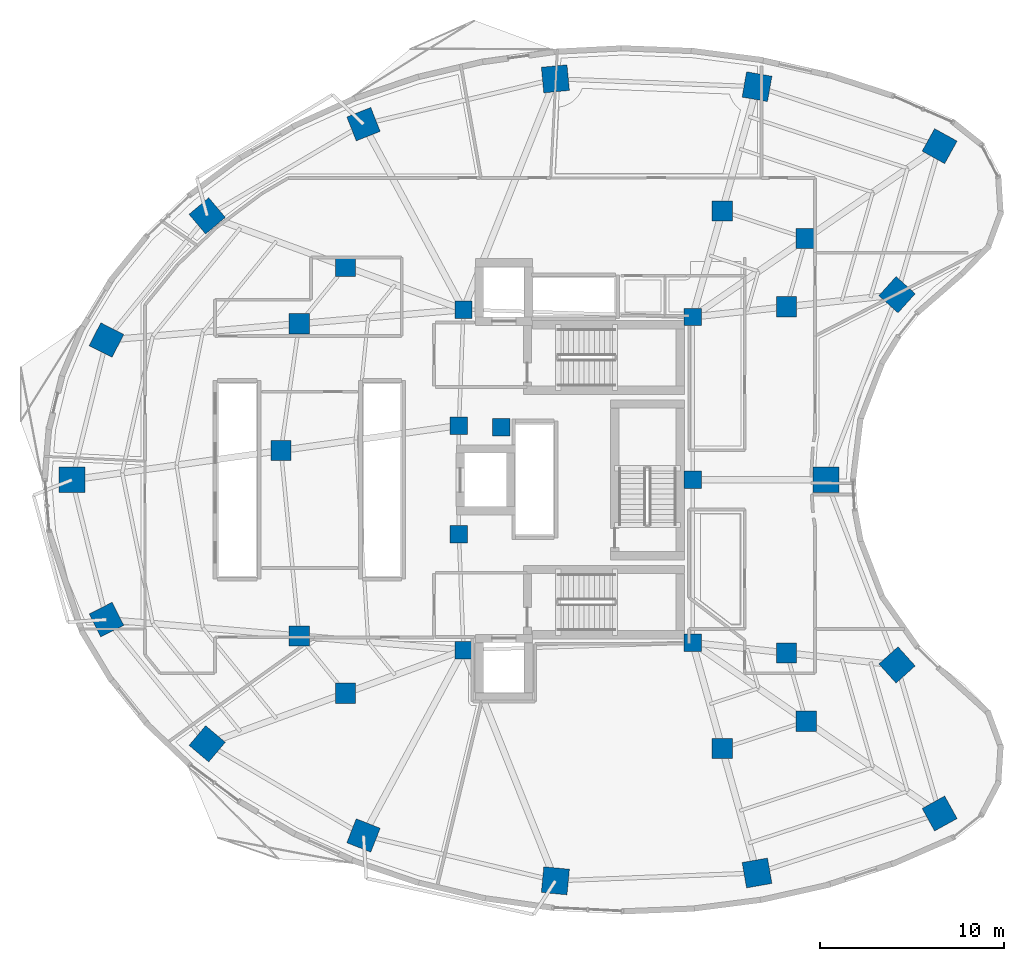
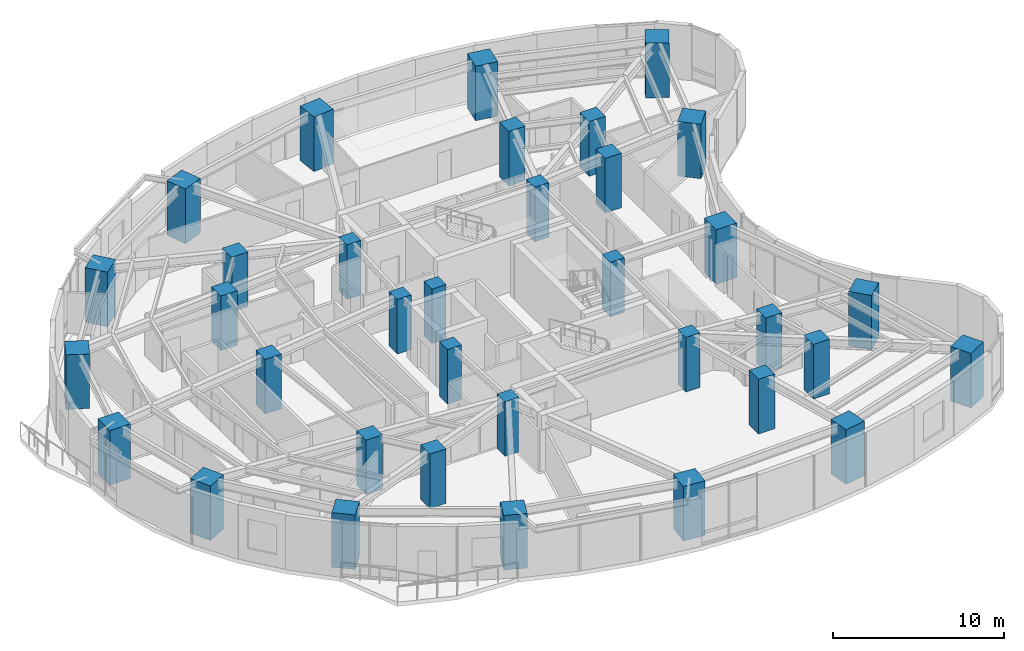
# One storey, part 1 of 15: 35 columns.
"""IFC4 building model written with IfcOpenShell, lengths in metres."""

from ifc_helpers import new_model, si_unit, direction, frame, origin, origin_2d, place, context, subcontext, project, spatial, rectangle, extrude, material, material_profile, profile_set, type_object, element, save


model = new_model("IFC4")

# Units and contexts
model_context = context("Model", 3, precision=1e-05, world=origin(), true_north=direction((0.0, 1.0)))
body_context = subcontext(model_context, "Body", "Model", "MODEL_VIEW")
ifc_project = project(units=[si_unit("LENGTHUNIT", "METRE"), si_unit("AREAUNIT", "SQUARE_METRE"), si_unit("VOLUMEUNIT", "CUBIC_METRE"), si_unit("PLANEANGLEUNIT", "RADIAN"), si_unit("MASSUNIT", "GRAM", prefix="KILO")], contexts=[model_context])

# Site, building, storey
site_placement = place(None, origin())
site = spatial("IfcSite", under=ifc_project, at=site_placement, CompositionType="ELEMENT")
building_placement = place(site_placement, origin())
building = spatial("IfcBuilding", under=site, at=building_placement, Name="Korentha Bioscience Tower", CompositionType="ELEMENT")
storey_placement = place(building_placement, frame((0.0, 0.0, 34.199951171875)))
storey = spatial("IfcBuildingStorey", under=building, at=storey_placement, Name="L07", CompositionType="ELEMENT", Elevation=34.199951171875)

# Columns
ifc_material_1 = material(Name="Concrete C65", Category="concrete")
ifc_material_profile_1 = material_profile(ifc_material_1, rectangle(XDim=0.949951171875, YDim=0.949951171875, at=origin_2d()), Name="Concrete C65")
ifc_profile_set_1 = profile_set([ifc_material_profile_1], Name="Concrete C65 (COL-CP09)")
column_type_1 = type_object("IfcColumnType", Name="Core Pilaster Column RC 950x950", PredefinedType="PILASTER", material=ifc_profile_set_1)
for number, where, z_axis, x_axis, name in (
    (1, (37.550048828125, 35.85009765625, -0.00048828125), (0.0, 0.0, 1.0), (1.0, 0.0, 0.0), "L07 Core Pilaster CP-01"),
    (2, (25.10009765625, 36.25, -0.00048828125), (0.0, 0.0, 1.0), (1.0, 0.0, 0.0), "L07 Core Pilaster CP-02"),
    (3, (24.85009765625, 29.949951171875, -0.00048828125), (0.0, 0.0, 1.0), (1.0, 0.0, 0.0), "L07 Core Pilaster CP-03"),
    (4, (27.14990234375, 29.85009765625, -0.00048828125), (0.0, 0.0, 1.0), (1.0, 0.0, 0.0), "L07 Core Pilaster CP-04"),
    (5, (24.85009765625, 24.050048828125, -0.00048828125), (0.0, 0.0, 1.0), (1.0, 0.0, 0.0), "L07 Core Pilaster CP-05"),
    (6, (25.10009765625, 17.75, -0.00048828125), (0.0, 0.0, 1.0), (1.0, 0.0, 0.0), "L07 Core Pilaster CP-06"),
    (7, (37.550048828125, 18.14990234375, -0.00048828125), (0.0, 0.0, 1.0), (1.0, 0.0, 0.0), "L07 Core Pilaster CP-07"),
    (8, (37.550048828125, 27.0, -0.00048828125), (0.0, 0.0, 1.0), (1.0, 0.0, 0.0), "L07 Core Pilaster CP-08"),
):
    element("IfcColumn", number, at=place(storey_placement, frame(where, z_axis=z_axis, x_axis=x_axis)), inside=storey, type_object=column_type_1, Name=name, PredefinedType="PILASTER", context=body_context, shape_type="SweptSolid", body=[
        extrude(rectangle(XDim=0.949951171875, YDim=0.949951171875, at=origin_2d()), origin(), (0.0, 0.0, 1.0), 3.901123046875),
    ])
ifc_material_2 = material(Name="Concrete C80", Category="concrete")
ifc_material_profile_2 = material_profile(ifc_material_2, rectangle(XDim=1.10009765625, YDim=1.10009765625, at=origin_2d()), Name="Concrete C80")
ifc_profile_set_2 = profile_set([ifc_material_profile_2], Name="Concrete C80 (COL-MR11)")
column_type_2 = type_object("IfcColumnType", Name="Mid-Ring Lab Column RC 1100x1100", PredefinedType="COLUMN", material=ifc_profile_set_2)
for number, where, z_axis, x_axis, name in (
    (9, (43.7265625, 40.121337890625, -0.00048828125), (0.0, 0.0, 1.0), (1.0, 0.0, 0.0), "L07 Mid-Ring Column 01"),
    (10, (39.1611328125, 41.607666015625, -0.00048828125), (0.0, 0.0, 1.0), (1.0, 0.0, 0.0), "L07 Mid-Ring Column 02"),
    (11, (18.692138671875, 38.5947265625, -0.00048828125), (0.0, 0.0, 1.0), (1.0, 0.0, 0.0), "L07 Mid-Ring Column 05"),
    (12, (16.174072265625, 35.489013671875, -0.00048828125), (0.0, 0.0, 1.0), (1.0, 0.0, 0.0), "L07 Mid-Ring Column 06"),
    (13, (15.1787109375, 28.593505859375, -0.00048828125), (0.0, 0.0, 1.0), (1.0, 0.0, 0.0), "L07 Mid-Ring Column 07"),
    (14, (16.174072265625, 18.510986328125, -0.00048828125), (0.0, 0.0, 1.0), (1.0, 0.0, 0.0), "L07 Mid-Ring Column 08"),
    (15, (18.692138671875, 15.4052734375, -0.00048828125), (0.0, 0.0, 1.0), (1.0, 0.0, 0.0), "L07 Mid-Ring Column 09"),
    (16, (39.1611328125, 12.392333984375, -0.00048828125), (0.0, 0.0, 1.0), (1.0, 0.0, 0.0), "L07 Mid-Ring Column 12"),
    (17, (43.7265625, 13.878662109375, -0.00048828125), (0.0, 0.0, 1.0), (1.0, 0.0, 0.0), "L07 Mid-Ring Column 13"),
    (18, (42.66162109375, 17.593017578125, -0.00048828125), (0.0, 0.0, 1.0), (1.0, 0.0, 0.0), "L07 Mid-Ring Column 14"),
    (19, (42.66162109375, 36.406982421875, -0.00048828125), (0.0, 0.0, 1.0), (1.0, 0.0, 0.0), "L07 Mid-Ring Column 16"),
):
    element("IfcColumn", number, at=place(storey_placement, frame(where, z_axis=z_axis, x_axis=x_axis)), inside=storey, type_object=column_type_2, Name=name, PredefinedType="COLUMN", context=body_context, shape_type="SweptSolid", body=[
        extrude(rectangle(XDim=1.10009765625, YDim=1.10009765625, at=origin_2d()), origin(), (0.0, 0.0, 1.0), 3.901123046875),
    ])
ifc_material_profile_3 = material_profile(ifc_material_2, rectangle(XDim=1.39990234375, YDim=1.39990234375, at=origin_2d()), Name="Concrete C80")
ifc_profile_set_3 = profile_set([ifc_material_profile_3], Name="Concrete C80 (COL-P14)")
column_type_3 = type_object("IfcColumnType", Name="Perimeter Column RC 1400x1400", PredefinedType="COLUMN", material=ifc_profile_set_3)
for number, where, z_axis, x_axis, name in (
    (20, (50.977294921875, 45.135498046875, -0.00048828125), (0.0, 0.0, 1.0), (-0.874535078577, 0.484962262797, 0.0), "L07 Perimeter Column 01"),
    (21, (41.052490234375, 48.36669921875, -0.00048828125), (0.0, 0.0, 1.0), (-0.984868307662, 0.173304404339, 0.0), "L07 Perimeter Column 02"),
    (22, (30.09423828125, 48.79248046875, -0.00048828125), (0.0, 0.0, 1.0), (0.995462868748, 0.095150811579, 0.0), "L07 Perimeter Column 03"),
    (23, (19.66650390625, 46.328857421875, -0.00048828125), (0.0, 0.0, 1.0), (0.930225540858, 0.366988341962, 0.0), "L07 Perimeter Column 04"),
    (24, (11.169921875, 41.34716796875, -0.00048828125), (0.0, 0.0, 1.0), (0.764246456939, 0.644924300253, 0.0), "L07 Perimeter Column 05"),
    (25, (5.69580078125, 34.595703125, -0.00048828125), (0.0, 0.0, 1.0), (0.453057191132, 0.891481453292, 0.0), "L07 Perimeter Column 06"),
    (26, (3.825439453125, 27.000732421875, -0.00048828125), (0.0, 0.0, 1.0), (0.0, 1.0, 0.0), "L07 Perimeter Column 07"),
    (27, (5.69580078125, 19.404296875, -0.00048828125), (0.0, 0.0, 1.0), (-0.453057191132, 0.891481453292, 0.0), "L07 Perimeter Column 08"),
    (28, (11.169921875, 12.65283203125, -0.00048828125), (0.0, 0.0, 1.0), (-0.764246456939, 0.644924300253, 0.0), "L07 Perimeter Column 09"),
    (29, (19.66650390625, 7.671142578125, -0.00048828125), (0.0, 0.0, 1.0), (-0.930225540858, 0.366988341962, 0.0), "L07 Perimeter Column 10"),
    (30, (30.09423828125, 5.20751953125, -0.00048828125), (0.0, 0.0, 1.0), (-0.995462868748, 0.095150811579, 0.0), "L07 Perimeter Column 11"),
    (31, (41.052490234375, 5.63330078125, -0.00048828125), (0.0, 0.0, 1.0), (0.984868307662, 0.173304404339, 0.0), "L07 Perimeter Column 12"),
    (32, (50.977294921875, 8.864501953125, -0.00048828125), (0.0, 0.0, 1.0), (0.874535078577, 0.484962262797, 0.0), "L07 Perimeter Column 13"),
    (33, (48.661865234375, 16.939208984375, -0.00048828125), (0.0, 0.0, 1.0), (-0.669130606359, 0.743144825477, 0.0), "L07 Perimeter Column 14"),
    (34, (44.798583984375, 27.0, -0.00048828125), (0.0, 0.0, 1.0), (0.0, 1.0, 0.0), "L07 Perimeter Column 15"),
    (35, (48.661865234375, 37.060791015625, -0.00048828125), (0.0, 0.0, 1.0), (0.669130606359, 0.743144825477, 0.0), "L07 Perimeter Column 16"),
):
    element("IfcColumn", number, at=place(storey_placement, frame(where, z_axis=z_axis, x_axis=x_axis)), inside=storey, type_object=column_type_3, Name=name, PredefinedType="COLUMN", context=body_context, shape_type="SweptSolid", body=[
        extrude(rectangle(XDim=1.39990234375, YDim=1.39990234375, at=origin_2d()), origin(), (0.0, 0.0, 1.0), 3.901123046875),
    ])

save(model, "model.ifc")
